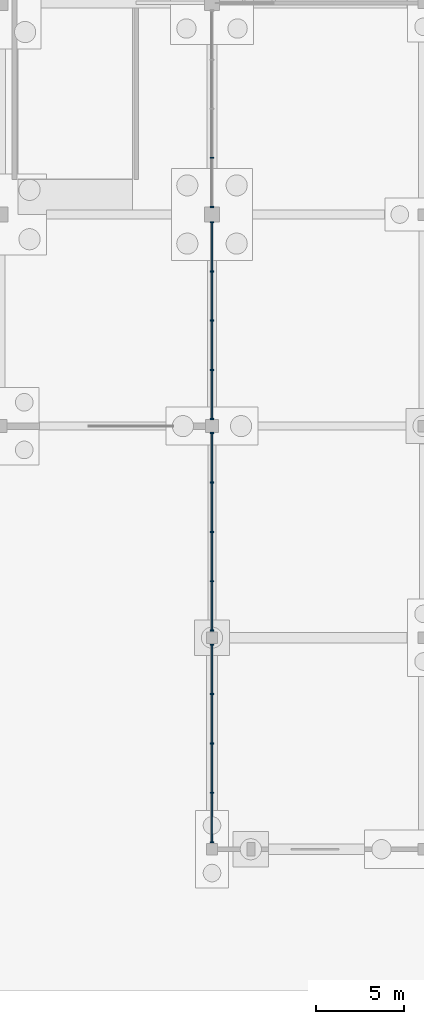
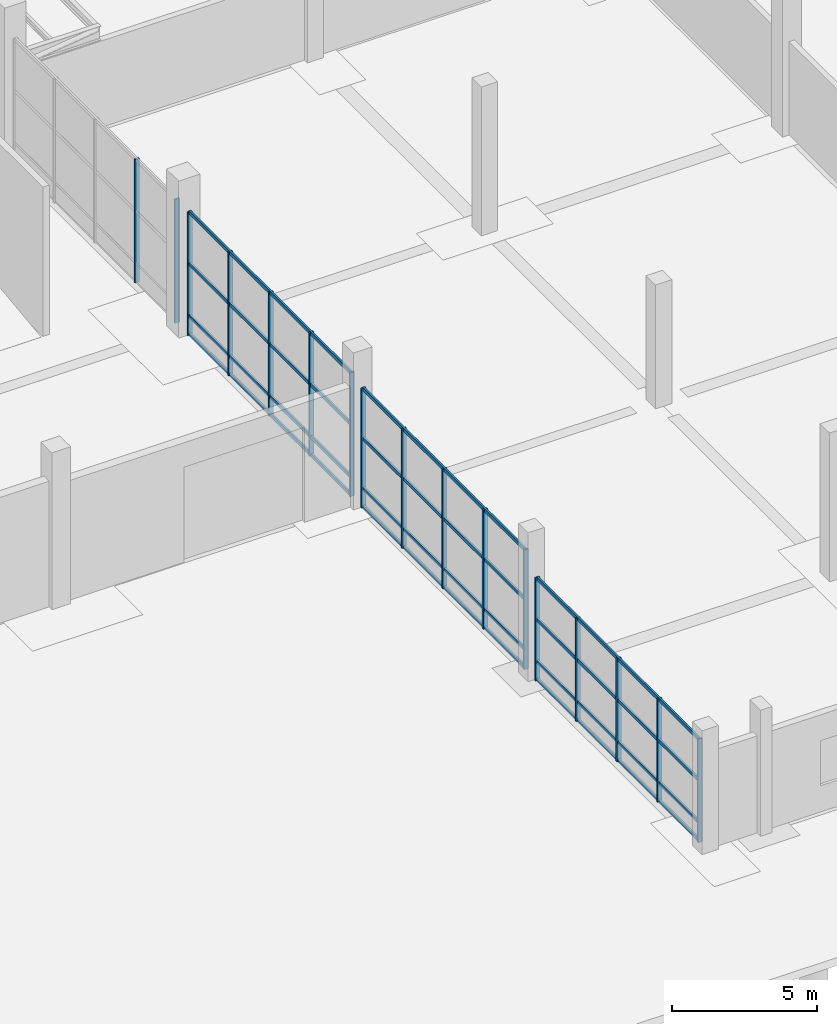
# One storey, part 44 of 117: 29 members, 4 elements without a shape of their own.
"""IFC4 building model written with IfcOpenShell, lengths in metres."""

from ifc_helpers import new_model, si_unit, direction, frame, origin, origin_2d, place, context, subcontext, project, spatial, rectangle, extrude, material, material_profile, profile_set, type_object, element, aggregate, save


model = new_model("IFC4")

# Units and contexts
model_context = context("Model", 3, precision=1e-05, world=origin(), true_north=direction((0.0, 1.0)))
body_context = subcontext(model_context, "Body", "Model", "MODEL_VIEW")
ifc_project = project(units=[si_unit("LENGTHUNIT", "METRE"), si_unit("AREAUNIT", "SQUARE_METRE"), si_unit("VOLUMEUNIT", "CUBIC_METRE"), si_unit("PLANEANGLEUNIT", "RADIAN"), si_unit("MASSUNIT", "GRAM", prefix="KILO")], contexts=[model_context])

# Site, building, storey
site_placement = place(None, origin())
site = spatial("IfcSite", under=ifc_project, at=site_placement, CompositionType="ELEMENT")
building_placement = place(site_placement, origin())
building = spatial("IfcBuilding", under=site, at=building_placement, Name="Kamomehara Wholesale Market", CompositionType="ELEMENT")
storey_placement = place(building_placement, origin())
storey = spatial("IfcBuildingStorey", under=building, at=storey_placement, Name="L00", CompositionType="ELEMENT", Elevation=0.0)

# Curtain wall, members
ifc_material_1 = material(Name="Anodised aluminium 6063-T5", Category="aluminium")
curtain_wall_type = type_object("IfcCurtainWallType", Name="CW-UN-04", PredefinedType="NOTDEFINED", material=ifc_material_1)
curtain_wall_1_placement = place(storey_placement, origin())
curtain_wall_1 = element("IfcCurtainWall", 1, at=curtain_wall_1_placement, inside=storey, type_object=curtain_wall_type, Name="Unitised curtain wall CW-117", PredefinedType="NOTDEFINED")
ifc_material_2 = material(Name="Anodised aluminium 6063-T5", Category="aluminium")
ifc_material_profile_1 = material_profile(ifc_material_2, rectangle(XDim=0.074951171875, YDim=0.179931640625, at=origin_2d()), Name="ALU-MUL-75x180")
ifc_profile_set_1 = profile_set([ifc_material_profile_1], Name="Anodised aluminium 6063-T5")
member_type_1 = type_object("IfcMemberType", Name="CW-MUL-180", PredefinedType="MULLION", material=ifc_profile_set_1)
member_1_placement = place(storey_placement, frame((36.0, 12.39990234375, 0.0), z_axis=(0.0, 0.0, 1.0), x_axis=(0.0, 1.0, 0.0)))
member_1 = element("IfcMember", 2, at=member_1_placement, type_object=member_type_1, Name="Mullion CW-117.0", PredefinedType="MULLION", context=body_context, shape_type="SweptSolid", body=[
    extrude(rectangle(XDim=0.074951171875, YDim=0.179931640625, at=origin_2d()), origin(), (0.0, 0.0, 1.0), 4.3359375),
])
member_2_placement = place(storey_placement, frame((36.0, 15.199951171875, 0.0), z_axis=(0.0, 0.0, 1.0), x_axis=(0.0, 1.0, 0.0)))
member_2 = element("IfcMember", 3, at=member_2_placement, type_object=member_type_1, Name="Mullion CW-117.1", PredefinedType="MULLION", context=body_context, shape_type="SweptSolid", body=[
    extrude(rectangle(XDim=0.074951171875, YDim=0.179931640625, at=origin_2d()), origin(), (0.0, 0.0, 1.0), 4.3359375),
])
member_3_placement = place(storey_placement, frame((36.0, 18.0, 0.0), z_axis=(0.0, 0.0, 1.0), x_axis=(0.0, 1.0, 0.0)))
member_3 = element("IfcMember", 4, at=member_3_placement, type_object=member_type_1, Name="Mullion CW-117.2", PredefinedType="MULLION", context=body_context, shape_type="SweptSolid", body=[
    extrude(rectangle(XDim=0.074951171875, YDim=0.179931640625, at=origin_2d()), origin(), (0.0, 0.0, 1.0), 4.3359375),
])
member_4_placement = place(storey_placement, frame((36.0, 20.800048828125, 0.0), z_axis=(0.0, 0.0, 1.0), x_axis=(0.0, 1.0, 0.0)))
member_4 = element("IfcMember", 5, at=member_4_placement, type_object=member_type_1, Name="Mullion CW-117.3", PredefinedType="MULLION", context=body_context, shape_type="SweptSolid", body=[
    extrude(rectangle(XDim=0.074951171875, YDim=0.179931640625, at=origin_2d()), origin(), (0.0, 0.0, 1.0), 4.3359375),
])
member_5_placement = place(storey_placement, frame((36.0, 23.60009765625, 0.0), z_axis=(0.0, 0.0, 1.0), x_axis=(0.0, 1.0, 0.0)))
member_5 = element("IfcMember", 6, at=member_5_placement, type_object=member_type_1, Name="Mullion CW-117.4", PredefinedType="MULLION", context=body_context, shape_type="SweptSolid", body=[
    extrude(rectangle(XDim=0.074951171875, YDim=0.179931640625, at=origin_2d()), origin(), (0.0, 0.0, 1.0), 4.3359375),
])

curtain_wall_2_placement = place(storey_placement, origin())
curtain_wall_2 = element("IfcCurtainWall", 7, at=curtain_wall_2_placement, inside=storey, type_object=curtain_wall_type, Name="Unitised curtain wall CW-118", PredefinedType="NOTDEFINED")
member_6_placement = place(storey_placement, frame((36.0, 24.39990234375, 0.0), z_axis=(0.0, 0.0, 1.0), x_axis=(0.0, 1.0, 0.0)))
member_6 = element("IfcMember", 8, at=member_6_placement, type_object=member_type_1, Name="Mullion CW-118.0", PredefinedType="MULLION", context=body_context, shape_type="SweptSolid", body=[
    extrude(rectangle(XDim=0.074951171875, YDim=0.179931640625, at=origin_2d()), origin(), (0.0, 0.0, 1.0), 5.030029296875),
])
member_7_placement = place(storey_placement, frame((36.0, 27.199951171875, 0.0), z_axis=(0.0, 0.0, 1.0), x_axis=(0.0, 1.0, 0.0)))
member_7 = element("IfcMember", 9, at=member_7_placement, type_object=member_type_1, Name="Mullion CW-118.1", PredefinedType="MULLION", context=body_context, shape_type="SweptSolid", body=[
    extrude(rectangle(XDim=0.074951171875, YDim=0.179931640625, at=origin_2d()), origin(), (0.0, 0.0, 1.0), 5.030029296875),
])
member_8_placement = place(storey_placement, frame((36.0, 30.0, 0.0), z_axis=(0.0, 0.0, 1.0), x_axis=(0.0, 1.0, 0.0)))
member_8 = element("IfcMember", 10, at=member_8_placement, type_object=member_type_1, Name="Mullion CW-118.2", PredefinedType="MULLION", context=body_context, shape_type="SweptSolid", body=[
    extrude(rectangle(XDim=0.074951171875, YDim=0.179931640625, at=origin_2d()), origin(), (0.0, 0.0, 1.0), 5.030029296875),
])
member_9_placement = place(storey_placement, frame((36.0, 32.800048828125, 0.0), z_axis=(0.0, 0.0, 1.0), x_axis=(0.0, 1.0, 0.0)))
member_9 = element("IfcMember", 11, at=member_9_placement, type_object=member_type_1, Name="Mullion CW-118.3", PredefinedType="MULLION", context=body_context, shape_type="SweptSolid", body=[
    extrude(rectangle(XDim=0.074951171875, YDim=0.179931640625, at=origin_2d()), origin(), (0.0, 0.0, 1.0), 5.030029296875),
])
member_10_placement = place(storey_placement, frame((36.0, 35.60009765625, 0.0), z_axis=(0.0, 0.0, 1.0), x_axis=(0.0, 1.0, 0.0)))
member_10 = element("IfcMember", 12, at=member_10_placement, type_object=member_type_1, Name="Mullion CW-118.4", PredefinedType="MULLION", context=body_context, shape_type="SweptSolid", body=[
    extrude(rectangle(XDim=0.074951171875, YDim=0.179931640625, at=origin_2d()), origin(), (0.0, 0.0, 1.0), 5.030029296875),
])

curtain_wall_3_placement = place(storey_placement, origin())
curtain_wall_3 = element("IfcCurtainWall", 13, at=curtain_wall_3_placement, inside=storey, type_object=curtain_wall_type, Name="Unitised curtain wall CW-119", PredefinedType="NOTDEFINED")
member_11_placement = place(storey_placement, frame((36.0, 36.39990234375, 0.0), z_axis=(0.0, 0.0, 1.0), x_axis=(0.0, 1.0, 0.0)))
member_11 = element("IfcMember", 14, at=member_11_placement, type_object=member_type_1, Name="Mullion CW-119.0", PredefinedType="MULLION", context=body_context, shape_type="SweptSolid", body=[
    extrude(rectangle(XDim=0.074951171875, YDim=0.179931640625, at=origin_2d()), origin(), (0.0, 0.0, 1.0), 5.199951171875),
])
member_12_placement = place(storey_placement, frame((36.0, 39.19091796875, 0.0), z_axis=(0.0, 0.0, 1.0), x_axis=(0.0, 1.0, 0.0)))
member_12 = element("IfcMember", 15, at=member_12_placement, type_object=member_type_1, Name="Mullion CW-119.1", PredefinedType="MULLION", context=body_context, shape_type="SweptSolid", body=[
    extrude(rectangle(XDim=0.074951171875, YDim=0.179931640625, at=origin_2d()), origin(), (0.0, 0.0, 1.0), 5.199951171875),
])
member_13_placement = place(storey_placement, frame((36.0, 41.98291015625, 0.0), z_axis=(0.0, 0.0, 1.0), x_axis=(0.0, 1.0, 0.0)))
member_13 = element("IfcMember", 16, at=member_13_placement, type_object=member_type_1, Name="Mullion CW-119.2", PredefinedType="MULLION", context=body_context, shape_type="SweptSolid", body=[
    extrude(rectangle(XDim=0.074951171875, YDim=0.179931640625, at=origin_2d()), origin(), (0.0, 0.0, 1.0), 5.199951171875),
])
member_14_placement = place(storey_placement, frame((36.0, 44.77392578125, 0.0), z_axis=(0.0, 0.0, 1.0), x_axis=(0.0, 1.0, 0.0)))
member_14 = element("IfcMember", 17, at=member_14_placement, type_object=member_type_1, Name="Mullion CW-119.3", PredefinedType="MULLION", context=body_context, shape_type="SweptSolid", body=[
    extrude(rectangle(XDim=0.074951171875, YDim=0.179931640625, at=origin_2d()), origin(), (0.0, 0.0, 1.0), 5.199951171875),
])
member_15_placement = place(storey_placement, frame((36.0, 47.56494140625, 0.0), z_axis=(0.0, 0.0, 1.0), x_axis=(0.0, 1.0, 0.0)))
member_15 = element("IfcMember", 18, at=member_15_placement, type_object=member_type_1, Name="Mullion CW-119.4", PredefinedType="MULLION", context=body_context, shape_type="SweptSolid", body=[
    extrude(rectangle(XDim=0.074951171875, YDim=0.179931640625, at=origin_2d()), origin(), (0.0, 0.0, 1.0), 5.199951171875),
])

curtain_wall_4_placement = place(storey_placement, origin())
curtain_wall_4 = element("IfcCurtainWall", 19, at=curtain_wall_4_placement, inside=storey, type_object=curtain_wall_type, Name="Unitised curtain wall CW-120", PredefinedType="NOTDEFINED")
member_16_placement = place(storey_placement, frame((36.0, 48.43505859375, 0.0), z_axis=(0.0, 0.0, 1.0), x_axis=(0.0, 1.0, 0.0)))
member_16 = element("IfcMember", 20, at=member_16_placement, type_object=member_type_1, Name="Mullion CW-120.0", PredefinedType="MULLION", context=body_context, shape_type="SweptSolid", body=[
    extrude(rectangle(XDim=0.074951171875, YDim=0.179931640625, at=origin_2d()), origin(), (0.0, 0.0, 1.0), 5.199951171875),
])
member_17_placement = place(storey_placement, frame((36.0, 51.218017578125, 0.0), z_axis=(0.0, 0.0, 1.0), x_axis=(0.0, 1.0, 0.0)))
member_17 = element("IfcMember", 21, at=member_17_placement, type_object=member_type_1, Name="Mullion CW-120.1", PredefinedType="MULLION", context=body_context, shape_type="SweptSolid", body=[
    extrude(rectangle(XDim=0.074951171875, YDim=0.179931640625, at=origin_2d()), origin(), (0.0, 0.0, 1.0), 5.199951171875),
])
aggregate(curtain_wall_4, [member_16, member_17])

# Member
ifc_material_3 = material(Name="Anodised aluminium 6063-T5", Category="aluminium")
ifc_material_profile_2 = material_profile(ifc_material_3, rectangle(XDim=0.074951171875, YDim=0.14990234375, at=origin_2d()), Name="ALU-TRN-75x150")
ifc_profile_set_2 = profile_set([ifc_material_profile_2], Name="Anodised aluminium 6063-T5")
member_type_2 = type_object("IfcMemberType", Name="CW-TRN-150", PredefinedType="USERDEFINED", material=ifc_profile_set_2)
member_18_placement = place(storey_placement, frame((36.0, 12.39990234375, 0.0400390625), z_axis=(0.0, 1.0, 0.0), x_axis=(-1.0, 0.0, 0.0)))
member_18 = element("IfcMember", 22, at=member_18_placement, type_object=member_type_2, Name="Transom CW-117.0", ObjectType="TRANSOM", PredefinedType="USERDEFINED", context=body_context, shape_type="SweptSolid", body=[
    extrude(rectangle(XDim=0.074951171875, YDim=0.14990234375, at=origin_2d()), origin(), (0.0, 0.0, 1.0), 11.2001953125),
])

member_19_placement = place(storey_placement, frame((36.0, 12.39990234375, 0.800048828125), z_axis=(0.0, 1.0, 0.0), x_axis=(-1.0, 0.0, 0.0)))
member_19 = element("IfcMember", 23, at=member_19_placement, type_object=member_type_2, Name="Transom CW-117.1", ObjectType="TRANSOM", PredefinedType="USERDEFINED", context=body_context, shape_type="SweptSolid", body=[
    extrude(rectangle(XDim=0.074951171875, YDim=0.14990234375, at=origin_2d()), origin(), (0.0, 0.0, 1.0), 11.2001953125),
])

member_20_placement = place(storey_placement, frame((36.0, 12.39990234375, 2.568115234375), z_axis=(0.0, 1.0, 0.0), x_axis=(-1.0, 0.0, 0.0)))
member_20 = element("IfcMember", 24, at=member_20_placement, type_object=member_type_2, Name="Transom CW-117.2", ObjectType="TRANSOM", PredefinedType="USERDEFINED", context=body_context, shape_type="SweptSolid", body=[
    extrude(rectangle(XDim=0.074951171875, YDim=0.14990234375, at=origin_2d()), origin(), (0.0, 0.0, 1.0), 11.2001953125),
])

member_21_placement = place(storey_placement, frame((36.0, 12.39990234375, 4.2958984375), z_axis=(0.0, 1.0, 0.0), x_axis=(-1.0, 0.0, 0.0)))
member_21 = element("IfcMember", 25, at=member_21_placement, type_object=member_type_2, Name="Transom CW-117.3", ObjectType="TRANSOM", PredefinedType="USERDEFINED", context=body_context, shape_type="SweptSolid", body=[
    extrude(rectangle(XDim=0.074951171875, YDim=0.14990234375, at=origin_2d()), origin(), (0.0, 0.0, 1.0), 11.2001953125),
])

aggregate(curtain_wall_1, [member_1, member_2, member_3, member_4, member_5, member_18, member_19, member_20, member_21])

member_22_placement = place(storey_placement, frame((36.0, 24.39990234375, 0.0400390625), z_axis=(0.0, 1.0, 0.0), x_axis=(-1.0, 0.0, 0.0)))
member_22 = element("IfcMember", 26, at=member_22_placement, type_object=member_type_2, Name="Transom CW-118.0", ObjectType="TRANSOM", PredefinedType="USERDEFINED", context=body_context, shape_type="SweptSolid", body=[
    extrude(rectangle(XDim=0.074951171875, YDim=0.14990234375, at=origin_2d()), origin(), (0.0, 0.0, 1.0), 11.2001953125),
])

member_23_placement = place(storey_placement, frame((36.0, 24.39990234375, 0.800048828125), z_axis=(0.0, 1.0, 0.0), x_axis=(-1.0, 0.0, 0.0)))
member_23 = element("IfcMember", 27, at=member_23_placement, type_object=member_type_2, Name="Transom CW-118.1", ObjectType="TRANSOM", PredefinedType="USERDEFINED", context=body_context, shape_type="SweptSolid", body=[
    extrude(rectangle(XDim=0.074951171875, YDim=0.14990234375, at=origin_2d()), origin(), (0.0, 0.0, 1.0), 11.2001953125),
])

member_24_placement = place(storey_placement, frame((36.0, 24.39990234375, 2.9150390625), z_axis=(0.0, 1.0, 0.0), x_axis=(-1.0, 0.0, 0.0)))
member_24 = element("IfcMember", 28, at=member_24_placement, type_object=member_type_2, Name="Transom CW-118.2", ObjectType="TRANSOM", PredefinedType="USERDEFINED", context=body_context, shape_type="SweptSolid", body=[
    extrude(rectangle(XDim=0.074951171875, YDim=0.14990234375, at=origin_2d()), origin(), (0.0, 0.0, 1.0), 11.2001953125),
])

member_25_placement = place(storey_placement, frame((36.0, 24.39990234375, 4.989990234375), z_axis=(0.0, 1.0, 0.0), x_axis=(-1.0, 0.0, 0.0)))
member_25 = element("IfcMember", 29, at=member_25_placement, type_object=member_type_2, Name="Transom CW-118.3", ObjectType="TRANSOM", PredefinedType="USERDEFINED", context=body_context, shape_type="SweptSolid", body=[
    extrude(rectangle(XDim=0.074951171875, YDim=0.14990234375, at=origin_2d()), origin(), (0.0, 0.0, 1.0), 11.2001953125),
])

aggregate(curtain_wall_2, [member_6, member_7, member_8, member_9, member_10, member_22, member_23, member_24, member_25])

member_26_placement = place(storey_placement, frame((36.0, 36.39990234375, 0.0400390625), z_axis=(0.0, 1.0, 0.0), x_axis=(-1.0, 0.0, 0.0)))
member_26 = element("IfcMember", 30, at=member_26_placement, type_object=member_type_2, Name="Transom CW-119.0", ObjectType="TRANSOM", PredefinedType="USERDEFINED", context=body_context, shape_type="SweptSolid", body=[
    extrude(rectangle(XDim=0.074951171875, YDim=0.14990234375, at=origin_2d()), origin(), (0.0, 0.0, 1.0), 11.1650390625),
])

member_27_placement = place(storey_placement, frame((36.0, 36.39990234375, 0.800048828125), z_axis=(0.0, 1.0, 0.0), x_axis=(-1.0, 0.0, 0.0)))
member_27 = element("IfcMember", 31, at=member_27_placement, type_object=member_type_2, Name="Transom CW-119.1", ObjectType="TRANSOM", PredefinedType="USERDEFINED", context=body_context, shape_type="SweptSolid", body=[
    extrude(rectangle(XDim=0.074951171875, YDim=0.14990234375, at=origin_2d()), origin(), (0.0, 0.0, 1.0), 11.1650390625),
])

member_28_placement = place(storey_placement, frame((36.0, 36.39990234375, 3.0), z_axis=(0.0, 1.0, 0.0), x_axis=(-1.0, 0.0, 0.0)))
member_28 = element("IfcMember", 32, at=member_28_placement, type_object=member_type_2, Name="Transom CW-119.2", ObjectType="TRANSOM", PredefinedType="USERDEFINED", context=body_context, shape_type="SweptSolid", body=[
    extrude(rectangle(XDim=0.074951171875, YDim=0.14990234375, at=origin_2d()), origin(), (0.0, 0.0, 1.0), 11.1650390625),
])

member_29_placement = place(storey_placement, frame((36.0, 36.39990234375, 5.159912109375), z_axis=(0.0, 1.0, 0.0), x_axis=(-1.0, 0.0, 0.0)))
member_29 = element("IfcMember", 33, at=member_29_placement, type_object=member_type_2, Name="Transom CW-119.3", ObjectType="TRANSOM", PredefinedType="USERDEFINED", context=body_context, shape_type="SweptSolid", body=[
    extrude(rectangle(XDim=0.074951171875, YDim=0.14990234375, at=origin_2d()), origin(), (0.0, 0.0, 1.0), 11.1650390625),
])

aggregate(curtain_wall_3, [member_11, member_12, member_13, member_14, member_15, member_26, member_27, member_28, member_29])

save(model, "model.ifc")
